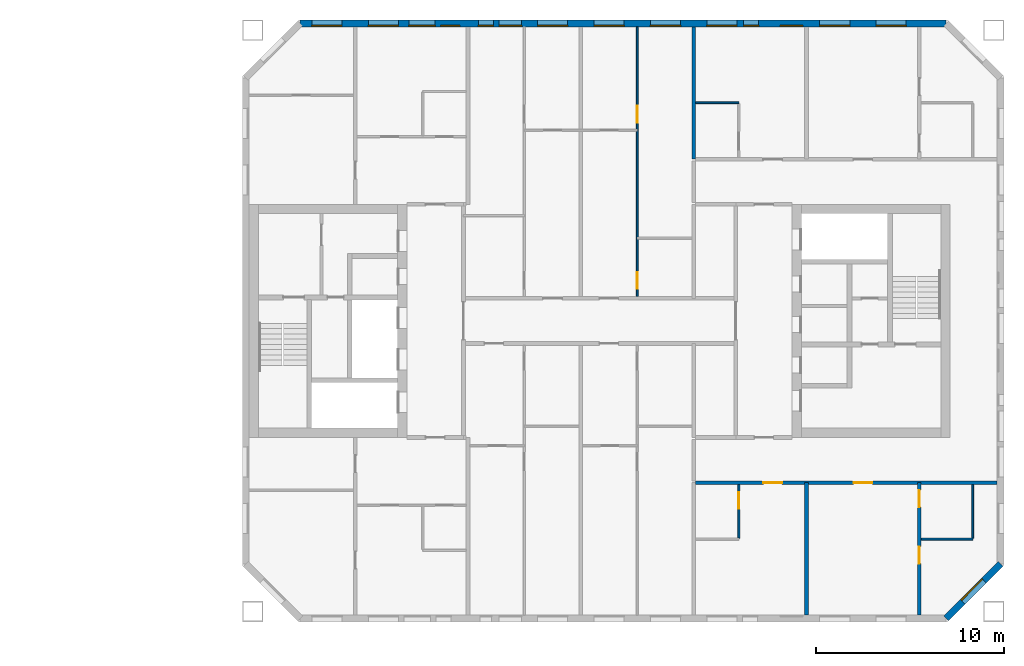
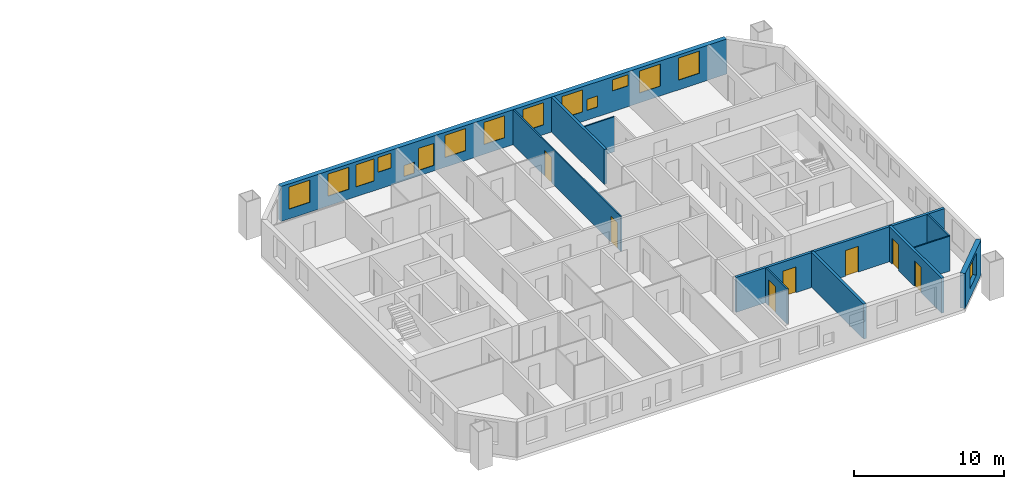
# One storey, part 12 of 16: 15 windows, 11 walls, 7 doors, 22 openings.
"""IFC4 building model written with IfcOpenShell, lengths in metres."""

from ifc_helpers import new_model, si_unit, direction, frame, frame_2d, origin, place, context, subcontext, project, spatial, rectangle, extrude, material, layer, layer_set, type_object, element, fill, save


model = new_model("IFC4")

# Units and contexts
model_context = context("Model", 3, precision=1e-05, world=origin(), true_north=direction((0.0, 1.0)))
body_context = subcontext(model_context, "Body", "Model", "MODEL_VIEW")
ifc_project = project(units=[si_unit("LENGTHUNIT", "METRE"), si_unit("AREAUNIT", "SQUARE_METRE"), si_unit("VOLUMEUNIT", "CUBIC_METRE"), si_unit("PLANEANGLEUNIT", "RADIAN"), si_unit("MASSUNIT", "GRAM", prefix="KILO")], contexts=[model_context])

# Site, building, storey
site_placement = place(None, origin())
site = spatial("IfcSite", under=ifc_project, at=site_placement, CompositionType="ELEMENT")
building_placement = place(site_placement, origin())
building = spatial("IfcBuilding", under=site, at=building_placement, Name="Tuart Gate Housing", CompositionType="ELEMENT")
storey_placement = place(building_placement, frame((0.0, 0.0, 157.800048828125)))
storey = spatial("IfcBuildingStorey", under=building, at=storey_placement, Name="L44", CompositionType="ELEMENT", Elevation=157.800048828125)

# Wall, opening, window
ifc_material_1 = material(Name="Brick", Category="masonry")
ifc_layer_1 = layer(ifc_material_1, 0.360107421875)
ifc_layer_set_1 = layer_set([ifc_layer_1], Name="Brick pier and spandrel wall 360")
wall_type_1 = type_object("IfcWallType", Name="Brick pier and spandrel wall 360", PredefinedType="STANDARD", material=ifc_layer_set_1)
wall_1_placement = place(storey_placement, frame((168.42529296875, 54.179931640625, 0.0), z_axis=(0.0, 0.0, 1.0), x_axis=(0.707106781187, 0.707106781187, 0.0)))
wall_1 = element("IfcWall", 1, at=wall_1_placement, inside=storey, type_object=wall_type_1, Name="External wall B-SE L44", PredefinedType="STANDARD", context=body_context, shape_type="SweptSolid", body=[
    extrude(rectangle(XDim=4.09375, YDim=0.360107421875, at=frame_2d((2.046875, 0.0))), origin(), (0.0, 0.0, 1.0), 2.849853515625),
])
opening_1_placement = place(wall_1_placement, frame((1.2470703125, 0.0, 0.800048828125)))
opening_1 = element("IfcOpeningElement", 2, at=opening_1_placement, cuts=wall_1, Name="Opening W1", PredefinedType="OPENING", context=body_context, shape_type="SweptSolid", body=[
    extrude(rectangle(XDim=1.60009765625, YDim=1.800048828125, at=frame_2d((0.800048828125, 0.89990234375))), frame((0.0, 0.18994140625, 0.0), z_axis=(0.0, -1.0, 0.0), x_axis=(1.0, 0.0, 0.0)), (0.0, 0.0, 1.0), 0.380126953125),
])
ifc_material_2 = material(Name="Aluminium frame with clear glass", Category="aluminium")
window_type_1 = type_object("IfcWindowType", Name="Punched window 1600 x 1800", PartitioningType="SINGLE_PANEL", PredefinedType="WINDOW", material=ifc_material_2)
window_1_placement = place(opening_1_placement, origin())
window_1 = element("IfcWindow", 3, at=window_1_placement, inside=storey, type_object=window_type_1, Name="Window W1", OverallHeight=1.800048828125, OverallWidth=1.60009765625, PartitioningType="SINGLE_PANEL", PredefinedType="WINDOW", context=body_context, shape_type="SweptSolid", body=[
    extrude(rectangle(XDim=1.60009765625, YDim=1.800048828125, at=frame_2d((0.800048828125, 0.89990234375))), frame((0.0, 0.150146484375, 0.0), z_axis=(0.0, -1.0, 0.0), x_axis=(1.0, 0.0, 0.0)), (0.0, 0.0, 1.0), 0.06005859375),
])
fill(opening_1, window_1)

# Wall, openings, windows
wall_2_placement = place(storey_placement, frame((168.42529296875, 85.820068359375, 0.0), z_axis=(0.0, 0.0, 1.0), x_axis=(-1.0, 0.0, 0.0)))
wall_2 = element("IfcWall", 4, at=wall_2_placement, inside=storey, type_object=wall_type_1, Name="External wall B-N L44", PredefinedType="STANDARD", context=body_context, shape_type="SweptSolid", body=[
    extrude(rectangle(XDim=34.350830078125, YDim=0.360107421875, at=frame_2d((17.17529296875, 0.0))), origin(), (0.0, 0.0, 1.0), 2.849853515625),
])
opening_2_placement = place(wall_2_placement, frame((2.12548828125, 0.0, 0.800048828125)))
opening_2 = element("IfcOpeningElement", 5, at=opening_2_placement, cuts=wall_2, Name="Opening W1", PredefinedType="OPENING", context=body_context, shape_type="SweptSolid", body=[
    extrude(rectangle(XDim=1.60009765625, YDim=1.800048828125, at=frame_2d((0.800048828125, 0.89990234375))), frame((0.0, 0.18994140625, 0.0), z_axis=(0.0, -1.0, 0.0), x_axis=(1.0, 0.0, 0.0)), (0.0, 0.0, 1.0), 0.380126953125),
])
opening_3_placement = place(wall_2_placement, frame((5.12548828125, 0.0, 0.800048828125)))
opening_3 = element("IfcOpeningElement", 6, at=opening_3_placement, cuts=wall_2, Name="Opening W1", PredefinedType="OPENING", context=body_context, shape_type="SweptSolid", body=[
    extrude(rectangle(XDim=1.60009765625, YDim=1.800048828125, at=frame_2d((0.800048828125, 0.89990234375))), frame((0.0, 0.18994140625, 0.0), z_axis=(0.0, -1.0, 0.0), x_axis=(1.0, 0.0, 0.0)), (0.0, 0.0, 1.0), 0.380126953125),
])
opening_4_placement = place(wall_2_placement, frame((7.62548828125, 0.0, 1.699951171875)))
opening_4 = element("IfcOpeningElement", 7, at=opening_4_placement, cuts=wall_2, Name="Opening W1T", PredefinedType="OPENING", context=body_context, shape_type="SweptSolid", body=[
    extrude(rectangle(XDim=1.199951171875, YDim=0.89990234375, at=frame_2d((0.60009765625, 0.449951171875))), frame((0.0, 0.18994140625, 0.0), z_axis=(0.0, -1.0, 0.0), x_axis=(1.0, 0.0, 0.0)), (0.0, 0.0, 1.0), 0.380126953125),
])
opening_5_placement = place(wall_2_placement, frame((11.12548828125, 0.0, 0.800048828125)))
opening_5 = element("IfcOpeningElement", 8, at=opening_5_placement, cuts=wall_2, Name="Opening W1", PredefinedType="OPENING", context=body_context, shape_type="SweptSolid", body=[
    extrude(rectangle(XDim=1.60009765625, YDim=1.800048828125, at=frame_2d((0.800048828125, 0.89990234375))), frame((0.0, 0.18994140625, 0.0), z_axis=(0.0, -1.0, 0.0), x_axis=(1.0, 0.0, 0.0)), (0.0, 0.0, 1.0), 0.380126953125),
])
opening_6_placement = place(wall_2_placement, frame((14.12548828125, 0.0, 0.800048828125)))
opening_6 = element("IfcOpeningElement", 9, at=opening_6_placement, cuts=wall_2, Name="Opening W1", PredefinedType="OPENING", context=body_context, shape_type="SweptSolid", body=[
    extrude(rectangle(XDim=1.60009765625, YDim=1.800048828125, at=frame_2d((0.800048828125, 0.89990234375))), frame((0.0, 0.18994140625, 0.0), z_axis=(0.0, -1.0, 0.0), x_axis=(1.0, 0.0, 0.0)), (0.0, 0.0, 1.0), 0.380126953125),
])
opening_7_placement = place(wall_2_placement, frame((17.12548828125, 0.0, 0.800048828125)))
opening_7 = element("IfcOpeningElement", 10, at=opening_7_placement, cuts=wall_2, Name="Opening W1", PredefinedType="OPENING", context=body_context, shape_type="SweptSolid", body=[
    extrude(rectangle(XDim=1.60009765625, YDim=1.800048828125, at=frame_2d((0.800048828125, 0.89990234375))), frame((0.0, 0.18994140625, 0.0), z_axis=(0.0, -1.0, 0.0), x_axis=(1.0, 0.0, 0.0)), (0.0, 0.0, 1.0), 0.380126953125),
])
opening_8_placement = place(wall_2_placement, frame((20.12548828125, 0.0, 0.800048828125)))
opening_8 = element("IfcOpeningElement", 11, at=opening_8_placement, cuts=wall_2, Name="Opening W1", PredefinedType="OPENING", context=body_context, shape_type="SweptSolid", body=[
    extrude(rectangle(XDim=1.60009765625, YDim=1.800048828125, at=frame_2d((0.800048828125, 0.89990234375))), frame((0.0, 0.18994140625, 0.0), z_axis=(0.0, -1.0, 0.0), x_axis=(1.0, 0.0, 0.0)), (0.0, 0.0, 1.0), 0.380126953125),
])
opening_9_placement = place(wall_2_placement, frame((22.575439453125, 0.0, 0.449951171875)))
opening_9 = element("IfcOpeningElement", 12, at=opening_9_placement, cuts=wall_2, Name="Opening W1B", PredefinedType="OPENING", context=body_context, shape_type="SweptSolid", body=[
    extrude(rectangle(XDim=1.199951171875, YDim=1.800048828125, at=frame_2d((0.60009765625, 0.89990234375))), frame((0.0, 0.18994140625, 0.0), z_axis=(0.0, -1.0, 0.0), x_axis=(1.0, 0.0, 0.0)), (0.0, 0.0, 1.0), 0.380126953125),
])
opening_10_placement = place(wall_2_placement, frame((25.87548828125, 0.0, 1.39990234375)))
opening_10 = element("IfcOpeningElement", 13, at=opening_10_placement, cuts=wall_2, Name="Opening W1O", PredefinedType="OPENING", context=body_context, shape_type="SweptSolid", body=[
    extrude(rectangle(XDim=1.0, YDim=1.199951171875, at=frame_2d((0.5, 0.60009765625))), frame((0.0, 0.18994140625, 0.0), z_axis=(0.0, -1.0, 0.0), x_axis=(1.0, 0.0, 0.0)), (0.0, 0.0, 1.0), 0.380126953125),
])
opening_11_placement = place(wall_2_placement, frame((29.12548828125, 0.0, 0.800048828125)))
opening_11 = element("IfcOpeningElement", 14, at=opening_11_placement, cuts=wall_2, Name="Opening W1", PredefinedType="OPENING", context=body_context, shape_type="SweptSolid", body=[
    extrude(rectangle(XDim=1.60009765625, YDim=1.800048828125, at=frame_2d((0.800048828125, 0.89990234375))), frame((0.0, 0.18994140625, 0.0), z_axis=(0.0, -1.0, 0.0), x_axis=(1.0, 0.0, 0.0)), (0.0, 0.0, 1.0), 0.380126953125),
])
opening_12_placement = place(wall_2_placement, frame((32.12548828125, 0.0, 0.800048828125)))
opening_12 = element("IfcOpeningElement", 15, at=opening_12_placement, cuts=wall_2, Name="Opening W1", PredefinedType="OPENING", context=body_context, shape_type="SweptSolid", body=[
    extrude(rectangle(XDim=1.60009765625, YDim=1.800048828125, at=frame_2d((0.800048828125, 0.89990234375))), frame((0.0, 0.18994140625, 0.0), z_axis=(0.0, -1.0, 0.0), x_axis=(1.0, 0.0, 0.0)), (0.0, 0.0, 1.0), 0.380126953125),
])
opening_13_placement = place(wall_2_placement, frame((9.975341796875, 0.0, 0.800048828125)))
opening_13 = element("IfcOpeningElement", 16, at=opening_13_placement, cuts=wall_2, Name="Opening W1V", PredefinedType="OPENING", context=body_context, shape_type="SweptSolid", body=[
    extrude(rectangle(XDim=0.800048828125, YDim=0.89990234375, at=frame_2d((0.39990234375, 0.449951171875))), frame((0.0, 0.18994140625, 0.0), z_axis=(0.0, -1.0, 0.0), x_axis=(1.0, 0.0, 0.0)), (0.0, 0.0, 1.0), 0.380126953125),
])
opening_14_placement = place(wall_2_placement, frame((24.075439453125, 0.0, 0.35009765625)))
opening_14 = element("IfcOpeningElement", 17, at=opening_14_placement, cuts=wall_2, Name="Opening W1V", PredefinedType="OPENING", context=body_context, shape_type="SweptSolid", body=[
    extrude(rectangle(XDim=0.800048828125, YDim=0.89990234375, at=frame_2d((0.39990234375, 0.449951171875))), frame((0.0, 0.18994140625, 0.0), z_axis=(0.0, -1.0, 0.0), x_axis=(1.0, 0.0, 0.0)), (0.0, 0.0, 1.0), 0.380126953125),
])
opening_15_placement = place(wall_2_placement, frame((27.17529296875, 0.0, 0.800048828125)))
opening_15 = element("IfcOpeningElement", 18, at=opening_15_placement, cuts=wall_2, Name="Opening W1A", PredefinedType="OPENING", context=body_context, shape_type="SweptSolid", body=[
    extrude(rectangle(XDim=1.39990234375, YDim=1.800048828125, at=frame_2d((0.699951171875, 0.89990234375))), frame((0.0, 0.18994140625, 0.0), z_axis=(0.0, -1.0, 0.0), x_axis=(1.0, 0.0, 0.0)), (0.0, 0.0, 1.0), 0.380126953125),
])
ifc_material_3 = material(Name="Aluminium frame with clear glass", Category="aluminium")
window_type_2 = type_object("IfcWindowType", Name="Punched window 1000 x 1200", PartitioningType="SINGLE_PANEL", PredefinedType="WINDOW", material=ifc_material_3)
window_2_placement = place(opening_10_placement, origin())
window_2 = element("IfcWindow", 19, at=window_2_placement, inside=storey, type_object=window_type_2, Name="Window W1O", OverallHeight=1.199951171875, OverallWidth=1.0, PartitioningType="SINGLE_PANEL", PredefinedType="WINDOW", context=body_context, shape_type="SweptSolid", body=[
    extrude(rectangle(XDim=1.0, YDim=1.199951171875, at=frame_2d((0.5, 0.60009765625))), frame((0.0, 0.150146484375, 0.0), z_axis=(0.0, -1.0, 0.0), x_axis=(1.0, 0.0, 0.0)), (0.0, 0.0, 1.0), 0.06005859375),
])
fill(opening_10, window_2)
ifc_material_4 = material(Name="Aluminium frame with clear glass", Category="aluminium")
window_type_3 = type_object("IfcWindowType", Name="Punched window 1200 x 1800", PartitioningType="SINGLE_PANEL", PredefinedType="WINDOW", material=ifc_material_4)
window_3_placement = place(opening_9_placement, origin())
window_3 = element("IfcWindow", 20, at=window_3_placement, inside=storey, type_object=window_type_3, Name="Window W1B", OverallHeight=1.800048828125, OverallWidth=1.199951171875, PartitioningType="SINGLE_PANEL", PredefinedType="WINDOW", context=body_context, shape_type="SweptSolid", body=[
    extrude(rectangle(XDim=1.199951171875, YDim=1.800048828125, at=frame_2d((0.60009765625, 0.89990234375))), frame((0.0, 0.150146484375, 0.0), z_axis=(0.0, -1.0, 0.0), x_axis=(1.0, 0.0, 0.0)), (0.0, 0.0, 1.0), 0.06005859375),
])
fill(opening_9, window_3)
ifc_material_5 = material(Name="Aluminium frame with clear glass", Category="aluminium")
window_type_4 = type_object("IfcWindowType", Name="Punched window 1200 x 900", PartitioningType="SINGLE_PANEL", PredefinedType="WINDOW", material=ifc_material_5)
window_4_placement = place(opening_4_placement, origin())
window_4 = element("IfcWindow", 21, at=window_4_placement, inside=storey, type_object=window_type_4, Name="Window W1T", OverallHeight=0.89990234375, OverallWidth=1.199951171875, PartitioningType="SINGLE_PANEL", PredefinedType="WINDOW", context=body_context, shape_type="SweptSolid", body=[
    extrude(rectangle(XDim=1.199951171875, YDim=0.89990234375, at=frame_2d((0.60009765625, 0.449951171875))), frame((0.0, 0.150146484375, 0.0), z_axis=(0.0, -1.0, 0.0), x_axis=(1.0, 0.0, 0.0)), (0.0, 0.0, 1.0), 0.06005859375),
])
fill(opening_4, window_4)
ifc_material_6 = material(Name="Aluminium frame with clear glass", Category="aluminium")
window_type_5 = type_object("IfcWindowType", Name="Punched window 1400 x 1800", PartitioningType="SINGLE_PANEL", PredefinedType="WINDOW", material=ifc_material_6)
window_5_placement = place(opening_15_placement, origin())
window_5 = element("IfcWindow", 22, at=window_5_placement, inside=storey, type_object=window_type_5, Name="Window W1A", OverallHeight=1.800048828125, OverallWidth=1.39990234375, PartitioningType="SINGLE_PANEL", PredefinedType="WINDOW", context=body_context, shape_type="SweptSolid", body=[
    extrude(rectangle(XDim=1.39990234375, YDim=1.800048828125, at=frame_2d((0.699951171875, 0.89990234375))), frame((0.0, 0.150146484375, 0.0), z_axis=(0.0, -1.0, 0.0), x_axis=(1.0, 0.0, 0.0)), (0.0, 0.0, 1.0), 0.06005859375),
])
fill(opening_15, window_5)
window_6_placement = place(opening_2_placement, origin())
window_6 = element("IfcWindow", 23, at=window_6_placement, inside=storey, type_object=window_type_1, Name="Window W1", OverallHeight=1.800048828125, OverallWidth=1.60009765625, PartitioningType="SINGLE_PANEL", PredefinedType="WINDOW", context=body_context, shape_type="SweptSolid", body=[
    extrude(rectangle(XDim=1.60009765625, YDim=1.800048828125, at=frame_2d((0.800048828125, 0.89990234375))), frame((0.0, 0.150146484375, 0.0), z_axis=(0.0, -1.0, 0.0), x_axis=(1.0, 0.0, 0.0)), (0.0, 0.0, 1.0), 0.06005859375),
])
fill(opening_2, window_6)
window_7_placement = place(opening_3_placement, origin())
window_7 = element("IfcWindow", 24, at=window_7_placement, inside=storey, type_object=window_type_1, Name="Window W1", OverallHeight=1.800048828125, OverallWidth=1.60009765625, PartitioningType="SINGLE_PANEL", PredefinedType="WINDOW", context=body_context, shape_type="SweptSolid", body=[
    extrude(rectangle(XDim=1.60009765625, YDim=1.800048828125, at=frame_2d((0.800048828125, 0.89990234375))), frame((0.0, 0.150146484375, 0.0), z_axis=(0.0, -1.0, 0.0), x_axis=(1.0, 0.0, 0.0)), (0.0, 0.0, 1.0), 0.06005859375),
])
fill(opening_3, window_7)
window_8_placement = place(opening_5_placement, origin())
window_8 = element("IfcWindow", 25, at=window_8_placement, inside=storey, type_object=window_type_1, Name="Window W1", OverallHeight=1.800048828125, OverallWidth=1.60009765625, PartitioningType="SINGLE_PANEL", PredefinedType="WINDOW", context=body_context, shape_type="SweptSolid", body=[
    extrude(rectangle(XDim=1.60009765625, YDim=1.800048828125, at=frame_2d((0.800048828125, 0.89990234375))), frame((0.0, 0.150146484375, 0.0), z_axis=(0.0, -1.0, 0.0), x_axis=(1.0, 0.0, 0.0)), (0.0, 0.0, 1.0), 0.06005859375),
])
fill(opening_5, window_8)
window_9_placement = place(opening_6_placement, origin())
window_9 = element("IfcWindow", 26, at=window_9_placement, inside=storey, type_object=window_type_1, Name="Window W1", OverallHeight=1.800048828125, OverallWidth=1.60009765625, PartitioningType="SINGLE_PANEL", PredefinedType="WINDOW", context=body_context, shape_type="SweptSolid", body=[
    extrude(rectangle(XDim=1.60009765625, YDim=1.800048828125, at=frame_2d((0.800048828125, 0.89990234375))), frame((0.0, 0.150146484375, 0.0), z_axis=(0.0, -1.0, 0.0), x_axis=(1.0, 0.0, 0.0)), (0.0, 0.0, 1.0), 0.06005859375),
])
fill(opening_6, window_9)
window_10_placement = place(opening_7_placement, origin())
window_10 = element("IfcWindow", 27, at=window_10_placement, inside=storey, type_object=window_type_1, Name="Window W1", OverallHeight=1.800048828125, OverallWidth=1.60009765625, PartitioningType="SINGLE_PANEL", PredefinedType="WINDOW", context=body_context, shape_type="SweptSolid", body=[
    extrude(rectangle(XDim=1.60009765625, YDim=1.800048828125, at=frame_2d((0.800048828125, 0.89990234375))), frame((0.0, 0.150146484375, 0.0), z_axis=(0.0, -1.0, 0.0), x_axis=(1.0, 0.0, 0.0)), (0.0, 0.0, 1.0), 0.06005859375),
])
fill(opening_7, window_10)
window_11_placement = place(opening_8_placement, origin())
window_11 = element("IfcWindow", 28, at=window_11_placement, inside=storey, type_object=window_type_1, Name="Window W1", OverallHeight=1.800048828125, OverallWidth=1.60009765625, PartitioningType="SINGLE_PANEL", PredefinedType="WINDOW", context=body_context, shape_type="SweptSolid", body=[
    extrude(rectangle(XDim=1.60009765625, YDim=1.800048828125, at=frame_2d((0.800048828125, 0.89990234375))), frame((0.0, 0.150146484375, 0.0), z_axis=(0.0, -1.0, 0.0), x_axis=(1.0, 0.0, 0.0)), (0.0, 0.0, 1.0), 0.06005859375),
])
fill(opening_8, window_11)
window_12_placement = place(opening_11_placement, origin())
window_12 = element("IfcWindow", 29, at=window_12_placement, inside=storey, type_object=window_type_1, Name="Window W1", OverallHeight=1.800048828125, OverallWidth=1.60009765625, PartitioningType="SINGLE_PANEL", PredefinedType="WINDOW", context=body_context, shape_type="SweptSolid", body=[
    extrude(rectangle(XDim=1.60009765625, YDim=1.800048828125, at=frame_2d((0.800048828125, 0.89990234375))), frame((0.0, 0.150146484375, 0.0), z_axis=(0.0, -1.0, 0.0), x_axis=(1.0, 0.0, 0.0)), (0.0, 0.0, 1.0), 0.06005859375),
])
fill(opening_11, window_12)
window_13_placement = place(opening_12_placement, origin())
window_13 = element("IfcWindow", 30, at=window_13_placement, inside=storey, type_object=window_type_1, Name="Window W1", OverallHeight=1.800048828125, OverallWidth=1.60009765625, PartitioningType="SINGLE_PANEL", PredefinedType="WINDOW", context=body_context, shape_type="SweptSolid", body=[
    extrude(rectangle(XDim=1.60009765625, YDim=1.800048828125, at=frame_2d((0.800048828125, 0.89990234375))), frame((0.0, 0.150146484375, 0.0), z_axis=(0.0, -1.0, 0.0), x_axis=(1.0, 0.0, 0.0)), (0.0, 0.0, 1.0), 0.06005859375),
])
fill(opening_12, window_13)
ifc_material_7 = material(Name="Aluminium frame with clear glass", Category="aluminium")
window_type_6 = type_object("IfcWindowType", Name="Punched window 800 x 900", PartitioningType="SINGLE_PANEL", PredefinedType="WINDOW", material=ifc_material_7)
window_14_placement = place(opening_13_placement, origin())
window_14 = element("IfcWindow", 31, at=window_14_placement, inside=storey, type_object=window_type_6, Name="Window W1V", OverallHeight=0.89990234375, OverallWidth=0.800048828125, PartitioningType="SINGLE_PANEL", PredefinedType="WINDOW", context=body_context, shape_type="SweptSolid", body=[
    extrude(rectangle(XDim=0.800048828125, YDim=0.89990234375, at=frame_2d((0.39990234375, 0.449951171875))), frame((0.0, 0.150146484375, 0.0), z_axis=(0.0, -1.0, 0.0), x_axis=(1.0, 0.0, 0.0)), (0.0, 0.0, 1.0), 0.06005859375),
])
fill(opening_13, window_14)
window_15_placement = place(opening_14_placement, origin())
window_15 = element("IfcWindow", 32, at=window_15_placement, inside=storey, type_object=window_type_6, Name="Window W1V", OverallHeight=0.89990234375, OverallWidth=0.800048828125, PartitioningType="SINGLE_PANEL", PredefinedType="WINDOW", context=body_context, shape_type="SweptSolid", body=[
    extrude(rectangle(XDim=0.800048828125, YDim=0.89990234375, at=frame_2d((0.39990234375, 0.449951171875))), frame((0.0, 0.150146484375, 0.0), z_axis=(0.0, -1.0, 0.0), x_axis=(1.0, 0.0, 0.0)), (0.0, 0.0, 1.0), 0.06005859375),
])
fill(opening_14, window_15)

# Wall, openings, doors
ifc_material_8 = material(Name="Concrete masonry 15 MPa", Category="masonry")
ifc_layer_2 = layer(ifc_material_8, 0.199951171875)
ifc_layer_set_2 = layer_set([ifc_layer_2], Name="Corridor wall masonry 200")
wall_type_2 = type_object("IfcWallType", Name="Corridor wall masonry 200", PredefinedType="PARTITIONING", material=ifc_layer_set_2)
wall_3_placement = place(storey_placement, frame((155.10009765625, 61.39990234375, 0.0), z_axis=(0.0, 0.0, 1.0), x_axis=(1.0, 0.0, 0.0)))
wall_3 = element("IfcWall", 33, at=wall_3_placement, inside=storey, type_object=wall_type_2, Name="Corridor wall masonry 200", PredefinedType="PARTITIONING", context=body_context, shape_type="SweptSolid", body=[
    extrude(rectangle(XDim=16.039794921875, YDim=0.199951171875, at=frame_2d((8.02001953125, 0.0))), origin(), (0.0, 0.0, 1.0), 2.849853515625),
])
opening_16_placement = place(wall_3_placement, frame((3.60009765625, 0.0, 0.0)))
opening_16 = element("IfcOpeningElement", 34, at=opening_16_placement, cuts=wall_3, Name="Opening D1724", PredefinedType="OPENING", context=body_context, shape_type="SweptSolid", body=[
    extrude(rectangle(XDim=1.0, YDim=2.10009765625, at=frame_2d((0.5, 1.050048828125))), frame((0.0, 0.10986328125, 0.0), z_axis=(0.0, -1.0, 0.0), x_axis=(1.0, 0.0, 0.0)), (0.0, 0.0, 1.0), 0.219970703125),
])
opening_17_placement = place(wall_3_placement, frame((8.39990234375, 0.0, 0.0)))
opening_17 = element("IfcOpeningElement", 35, at=opening_17_placement, cuts=wall_3, Name="Opening D1725", PredefinedType="OPENING", context=body_context, shape_type="SweptSolid", body=[
    extrude(rectangle(XDim=1.0, YDim=2.10009765625, at=frame_2d((0.5, 1.050048828125))), frame((0.0, 0.10986328125, 0.0), z_axis=(0.0, -1.0, 0.0), x_axis=(1.0, 0.0, 0.0)), (0.0, 0.0, 1.0), 0.219970703125),
])
ifc_material_9 = material(Name="Timber door leaf in steel frame", Category="steel")
door_type_1 = type_object("IfcDoorType", Name="Flat entrance door 1000 RH", OperationType="SINGLE_SWING_RIGHT", PredefinedType="DOOR", material=ifc_material_9)
door_1_placement = place(opening_16_placement, frame((1.0, 0.0, 0.0), z_axis=(0.0, 0.0, 1.0), x_axis=(-1.0, 0.0, 0.0)))
door_1 = element("IfcDoor", 36, at=door_1_placement, inside=storey, type_object=door_type_1, Name="Flat entrance door", OperationType="SINGLE_SWING_RIGHT", OverallHeight=2.10009765625, OverallWidth=1.0, PredefinedType="DOOR", context=body_context, shape_type="SweptSolid", body=[
    extrude(rectangle(XDim=1.0, YDim=2.10009765625, at=frame_2d((0.5, 1.050048828125))), frame((0.0, 0.025146484375, 0.0), z_axis=(0.0, -1.0, 0.0), x_axis=(1.0, 0.0, 0.0)), (0.0, 0.0, 1.0), 0.050048828125),
])
fill(opening_16, door_1)
door_2_placement = place(opening_17_placement, frame((1.0, 0.0, 0.0), z_axis=(0.0, 0.0, 1.0), x_axis=(-1.0, 0.0, 0.0)))
door_2 = element("IfcDoor", 37, at=door_2_placement, inside=storey, type_object=door_type_1, Name="Flat entrance door", OperationType="SINGLE_SWING_RIGHT", OverallHeight=2.10009765625, OverallWidth=1.0, PredefinedType="DOOR", context=body_context, shape_type="SweptSolid", body=[
    extrude(rectangle(XDim=1.0, YDim=2.10009765625, at=frame_2d((0.5, 1.050048828125))), frame((0.0, 0.025146484375, 0.0), z_axis=(0.0, -1.0, 0.0), x_axis=(1.0, 0.0, 0.0)), (0.0, 0.0, 1.0), 0.050048828125),
])
fill(opening_17, door_2)

# Walls
ifc_material_10 = material(Name="Gypsum board on steel studs", Category="steel")
ifc_layer_3 = layer(ifc_material_10, 0.10009765625)
ifc_layer_set_3 = layer_set([ifc_layer_3], Name="Partition 100")
wall_type_3 = type_object("IfcWallType", Name="Partition 100", PredefinedType="PARTITIONING", material=ifc_layer_set_3)
wall_4_placement = place(storey_placement, frame((167.10009765625, 58.39990234375, 0.0), z_axis=(0.0, 0.0, 1.0), x_axis=(1.0, 0.0, 0.0)))
element("IfcWall", 38, at=wall_4_placement, inside=storey, type_object=wall_type_3, Name="Partition 100", PredefinedType="PARTITIONING", context=body_context, shape_type="SweptSolid", body=[
    extrude(rectangle(XDim=2.739990234375, YDim=0.10009765625, at=frame_2d((1.3701171875, 0.0))), origin(), (0.0, 0.0, 1.0), 2.849853515625),
])
wall_5_placement = place(storey_placement, frame((155.10009765625, 81.60009765625, 0.0), z_axis=(0.0, 0.0, 1.0), x_axis=(1.0, 0.0, 0.0)))
element("IfcWall", 39, at=wall_5_placement, inside=storey, type_object=wall_type_3, Name="Partition 100", PredefinedType="PARTITIONING", context=body_context, shape_type="SweptSolid", body=[
    extrude(rectangle(XDim=2.2998046875, YDim=0.10009765625, at=frame_2d((1.14990234375, 0.0))), origin(), (0.0, 0.0, 1.0), 2.849853515625),
])

# Wall, openings, doors
wall_6_placement = place(storey_placement, frame((152.0, 71.300048828125, 0.0), z_axis=(0.0, 0.0, 1.0), x_axis=(0.0, 1.0, 0.0)))
wall_6 = element("IfcWall", 40, at=wall_6_placement, inside=storey, type_object=wall_type_3, Name="Partition 100", PredefinedType="PARTITIONING", context=body_context, shape_type="SweptSolid", body=[
    extrude(rectangle(XDim=14.33984375, YDim=0.10009765625, at=frame_2d((7.169921875, 0.0))), origin(), (0.0, 0.0, 1.0), 2.849853515625),
])
opening_18_placement = place(wall_6_placement, frame((9.239990234375, 0.0, 0.0)))
opening_18 = element("IfcOpeningElement", 41, at=opening_18_placement, cuts=wall_6, Name="Opening D1695", PredefinedType="OPENING", context=body_context, shape_type="SweptSolid", body=[
    extrude(rectangle(XDim=0.89990234375, YDim=2.10009765625, at=frame_2d((0.449951171875, 1.050048828125))), frame((0.0, 0.06005859375, 0.0), z_axis=(0.0, -1.0, 0.0), x_axis=(1.0, 0.0, 0.0)), (0.0, 0.0, 1.0), 0.1201171875),
])
opening_19_placement = place(wall_6_placement, frame((0.39990234375, 0.0, 0.0)))
opening_19 = element("IfcOpeningElement", 42, at=opening_19_placement, cuts=wall_6, Name="Opening D1694", PredefinedType="OPENING", context=body_context, shape_type="SweptSolid", body=[
    extrude(rectangle(XDim=0.89990234375, YDim=2.10009765625, at=frame_2d((0.449951171875, 1.050048828125))), frame((0.0, 0.06005859375, 0.0), z_axis=(0.0, -1.0, 0.0), x_axis=(1.0, 0.0, 0.0)), (0.0, 0.0, 1.0), 0.1201171875),
])
ifc_material_11 = material(Name="Timber door leaf in steel frame", Category="steel")
door_type_2 = type_object("IfcDoorType", Name="Bathroom door 900 RH", OperationType="SINGLE_SWING_RIGHT", PredefinedType="DOOR", material=ifc_material_11)
door_3_placement = place(opening_19_placement, frame((0.89990234375, 0.0, 0.0), z_axis=(0.0, 0.0, 1.0), x_axis=(-1.0, 0.0, 0.0)))
door_3 = element("IfcDoor", 43, at=door_3_placement, inside=storey, type_object=door_type_2, Name="Bathroom door", OperationType="SINGLE_SWING_RIGHT", OverallHeight=2.10009765625, OverallWidth=0.89990234375, PredefinedType="DOOR", context=body_context, shape_type="SweptSolid", body=[
    extrude(rectangle(XDim=0.89990234375, YDim=2.10009765625, at=frame_2d((0.449951171875, 1.050048828125))), frame((0.0, 0.025146484375, 0.0), z_axis=(0.0, -1.0, 0.0), x_axis=(1.0, 0.0, 0.0)), (0.0, 0.0, 1.0), 0.050048828125),
])
fill(opening_19, door_3)
ifc_material_12 = material(Name="Timber door leaf in steel frame", Category="steel")
door_type_3 = type_object("IfcDoorType", Name="Internal door 900", OperationType="SINGLE_SWING_LEFT", PredefinedType="DOOR", material=ifc_material_12)
door_4_placement = place(opening_18_placement, frame((0.89990234375, 0.0, 0.0), z_axis=(0.0, 0.0, 1.0), x_axis=(-1.0, 0.0, 0.0)))
door_4 = element("IfcDoor", 44, at=door_4_placement, inside=storey, type_object=door_type_3, Name="Internal door", OperationType="SINGLE_SWING_LEFT", OverallHeight=2.10009765625, OverallWidth=0.89990234375, PredefinedType="DOOR", context=body_context, shape_type="SweptSolid", body=[
    extrude(rectangle(XDim=0.89990234375, YDim=2.10009765625, at=frame_2d((0.449951171875, 1.050048828125))), frame((0.0, 0.025146484375, 0.0), z_axis=(0.0, -1.0, 0.0), x_axis=(1.0, 0.0, 0.0)), (0.0, 0.0, 1.0), 0.050048828125),
])
fill(opening_18, door_4)

# Wall, opening, door
wall_7_placement = place(storey_placement, frame((157.39990234375, 58.449951171875, 0.0), z_axis=(0.0, 0.0, 1.0), x_axis=(0.0, 1.0, 0.0)))
wall_7 = element("IfcWall", 45, at=wall_7_placement, inside=storey, type_object=wall_type_3, Name="Partition 100", PredefinedType="PARTITIONING", context=body_context, shape_type="SweptSolid", body=[
    extrude(rectangle(XDim=2.85009765625, YDim=0.10009765625, at=frame_2d((1.425048828125, 0.0))), origin(), (0.0, 0.0, 1.0), 2.849853515625),
])
opening_20_placement = place(wall_7_placement, frame((1.550048828125, 0.0, 0.0)))
opening_20 = element("IfcOpeningElement", 46, at=opening_20_placement, cuts=wall_7, Name="Opening D1728", PredefinedType="OPENING", context=body_context, shape_type="SweptSolid", body=[
    extrude(rectangle(XDim=0.89990234375, YDim=2.10009765625, at=frame_2d((0.449951171875, 1.050048828125))), frame((0.0, 0.06005859375, 0.0), z_axis=(0.0, -1.0, 0.0), x_axis=(1.0, 0.0, 0.0)), (0.0, 0.0, 1.0), 0.1201171875),
])
door_5_placement = place(opening_20_placement, origin())
door_5 = element("IfcDoor", 47, at=door_5_placement, inside=storey, type_object=door_type_2, Name="Bathroom door", OperationType="SINGLE_SWING_RIGHT", OverallHeight=2.10009765625, OverallWidth=0.89990234375, PredefinedType="DOOR", context=body_context, shape_type="SweptSolid", body=[
    extrude(rectangle(XDim=0.89990234375, YDim=2.10009765625, at=frame_2d((0.449951171875, 1.050048828125))), frame((0.0, 0.02490234375, 0.0), z_axis=(0.0, -1.0, 0.0), x_axis=(1.0, 0.0, 0.0)), (0.0, 0.0, 1.0), 0.050048828125),
])
fill(opening_20, door_5)

# Walls
wall_8_placement = place(storey_placement, frame((169.840087890625, 58.449951171875, 0.0), z_axis=(0.0, 0.0, 1.0), x_axis=(0.0, 1.0, 0.0)))
element("IfcWall", 48, at=wall_8_placement, inside=storey, type_object=wall_type_3, Name="Partition 100", PredefinedType="PARTITIONING", context=body_context, shape_type="SweptSolid", body=[
    extrude(rectangle(XDim=2.85009765625, YDim=0.10009765625, at=frame_2d((1.425048828125, 0.0))), origin(), (0.0, 0.0, 1.0), 2.849853515625),
])
ifc_material_13 = material(Name="Concrete C40", Category="concrete")
ifc_layer_4 = layer(ifc_material_13, 0.199951171875)
ifc_layer_set_4 = layer_set([ifc_layer_4], Name="Party wall concrete C40 200")
wall_type_4 = type_object("IfcWallType", Name="Party wall concrete C40 200", PredefinedType="SOLIDWALL", material=ifc_layer_set_4)
for number, where, z_axis, x_axis, name in (
    (49, (155.0, 78.60009765625, 0.0), (0.0, 0.0, 1.0), (0.0, 1.0, 0.0), "Party wall concrete C40 200"),
    (50, (161.0, 54.360107421875, 0.0), (0.0, 0.0, 1.0), (0.0, 1.0, 0.0), "Party wall concrete C40 200"),
):
    element("IfcWall", number, at=place(storey_placement, frame(where, z_axis=z_axis, x_axis=x_axis)), inside=storey, type_object=wall_type_4, Name=name, PredefinedType="SOLIDWALL", context=body_context, shape_type="SweptSolid", body=[
        extrude(rectangle(XDim=7.039794921875, YDim=0.199951171875, at=frame_2d((3.52001953125, 0.0))), origin(), (0.0, 0.0, 1.0), 2.849853515625),
    ])

# Wall, openings, doors
wall_9_placement = place(storey_placement, frame((167.0, 54.360107421875, 0.0), z_axis=(0.0, 0.0, 1.0), x_axis=(0.0, 1.0, 0.0)))
wall_9 = element("IfcWall", 51, at=wall_9_placement, inside=storey, type_object=wall_type_4, Name="Party wall concrete C40 200", PredefinedType="SOLIDWALL", context=body_context, shape_type="SweptSolid", body=[
    extrude(rectangle(XDim=7.039794921875, YDim=0.199951171875, at=frame_2d((3.52001953125, 0.0))), origin(), (0.0, 0.0, 1.0), 2.849853515625),
])
opening_21_placement = place(wall_9_placement, frame((2.739990234375, 0.0, 0.0)))
opening_21 = element("IfcOpeningElement", 52, at=opening_21_placement, cuts=wall_9, Name="Opening D1732", PredefinedType="OPENING", context=body_context, shape_type="SweptSolid", body=[
    extrude(rectangle(XDim=0.89990234375, YDim=2.10009765625, at=frame_2d((0.449951171875, 1.050048828125))), frame((0.0, 0.10986328125, 0.0), z_axis=(0.0, -1.0, 0.0), x_axis=(1.0, 0.0, 0.0)), (0.0, 0.0, 1.0), 0.219970703125),
])
opening_22_placement = place(wall_9_placement, frame((5.739990234375, 0.0, 0.0)))
opening_22 = element("IfcOpeningElement", 53, at=opening_22_placement, cuts=wall_9, Name="Opening D1731", PredefinedType="OPENING", context=body_context, shape_type="SweptSolid", body=[
    extrude(rectangle(XDim=0.89990234375, YDim=2.10009765625, at=frame_2d((0.449951171875, 1.050048828125))), frame((0.0, 0.10986328125, 0.0), z_axis=(0.0, -1.0, 0.0), x_axis=(1.0, 0.0, 0.0)), (0.0, 0.0, 1.0), 0.219970703125),
])
ifc_material_14 = material(Name="Timber door leaf in steel frame", Category="steel")
door_type_4 = type_object("IfcDoorType", Name="Bathroom door 900", OperationType="SINGLE_SWING_LEFT", PredefinedType="DOOR", material=ifc_material_14)
door_6_placement = place(opening_22_placement, frame((0.89990234375, 0.0, 0.0), z_axis=(0.0, 0.0, 1.0), x_axis=(-1.0, 0.0, 0.0)))
door_6 = element("IfcDoor", 54, at=door_6_placement, inside=storey, type_object=door_type_4, Name="Bathroom door", OperationType="SINGLE_SWING_LEFT", OverallHeight=2.10009765625, OverallWidth=0.89990234375, PredefinedType="DOOR", context=body_context, shape_type="SweptSolid", body=[
    extrude(rectangle(XDim=0.89990234375, YDim=2.10009765625, at=frame_2d((0.449951171875, 1.050048828125))), frame((0.0, 0.025146484375, 0.0), z_axis=(0.0, -1.0, 0.0), x_axis=(1.0, 0.0, 0.0)), (0.0, 0.0, 1.0), 0.050048828125),
])
fill(opening_22, door_6)
door_7_placement = place(opening_21_placement, frame((0.89990234375, 0.0, 0.0), z_axis=(0.0, 0.0, 1.0), x_axis=(-1.0, 0.0, 0.0)))
door_7 = element("IfcDoor", 55, at=door_7_placement, inside=storey, type_object=door_type_3, Name="Internal door", OperationType="SINGLE_SWING_LEFT", OverallHeight=2.10009765625, OverallWidth=0.89990234375, PredefinedType="DOOR", context=body_context, shape_type="SweptSolid", body=[
    extrude(rectangle(XDim=0.89990234375, YDim=2.10009765625, at=frame_2d((0.449951171875, 1.050048828125))), frame((0.0, 0.025146484375, 0.0), z_axis=(0.0, -1.0, 0.0), x_axis=(1.0, 0.0, 0.0)), (0.0, 0.0, 1.0), 0.050048828125),
])
fill(opening_21, door_7)

save(model, "model.ifc")
